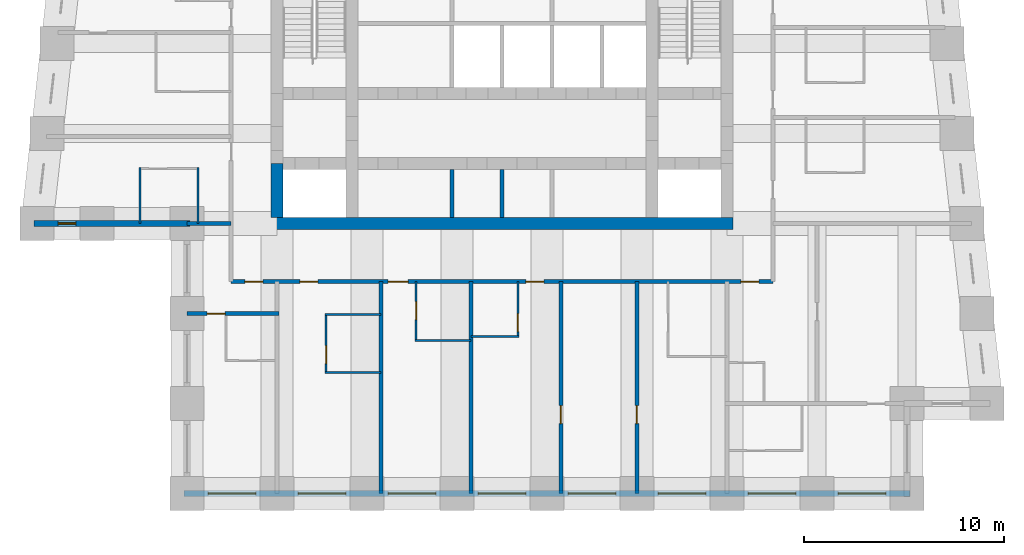
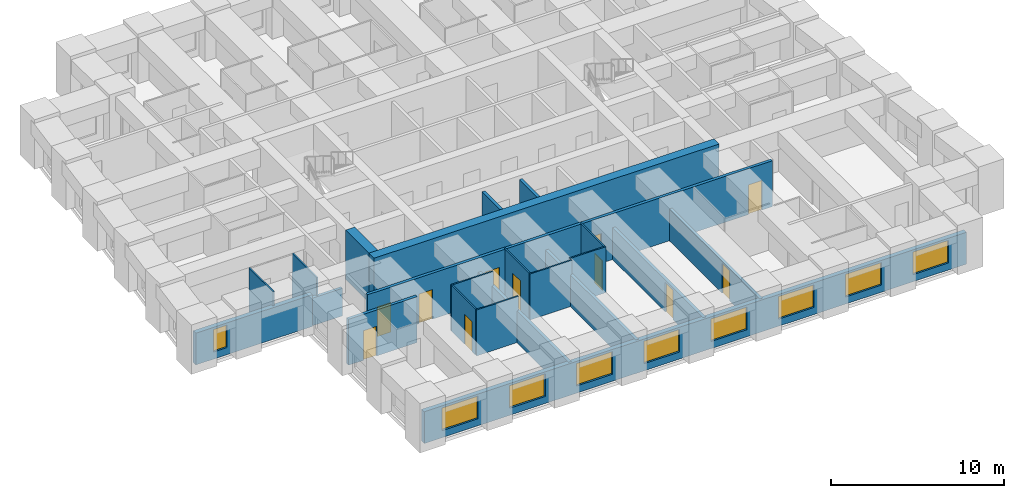
# One storey, part 2 of 8: 22 walls, 11 doors, 9 windows, 20 openings.
"""IFC4 building model written with IfcOpenShell, lengths in metres."""

import ifcopenshell
import ifcopenshell.guid

model = None  # the IFC model being written
_history = None  # IfcOwnerHistory: only IFC2X3 demands one
_inside = {}  # id of a spatial element -> (the spatial element, [elements in it])
_under = {}  # id of a project, library or spatial element -> (it, [spatial elements below it])
_declared = {}  # id of a project -> (the project, [libraries it declares])
_typed = {}  # id of a type object -> (the type object, [elements of that type])
_made_of = {}  # id of a material, layer set ... -> (it, [elements and type objects made of it])


def new_model(schema):
    """Start an empty IFC model of exactly this schema.

    Asked for "IFC4X3", IfcOpenShell would pick the latest addendum, in which some entities
    have other attributes; the version numbers below select the first issue.
    IFC2X3 requires an IfcOwnerHistory on every rooted entity: one is made here for all.
    """
    global model, _history
    if schema == "IFC4X3":
        model = ifcopenshell.file(schema_version=(4, 3, 0, 0))
    else:
        model = ifcopenshell.file(schema=schema)
    _inside.clear()
    _under.clear()
    _declared.clear()
    _typed.clear()
    _made_of.clear()
    _history = None
    if model.schema == "IFC2X3":
        org = make("IfcOrganization", Name="unknown")
        user = make(
            "IfcPersonAndOrganization",
            ThePerson=make("IfcPerson", FamilyName="unknown"),
            TheOrganization=org,
        )
        app = make(
            "IfcApplication",
            ApplicationDeveloper=org,
            Version="unknown",
            ApplicationFullName="unknown",
            ApplicationIdentifier="unknown",
        )
        _history = make(
            "IfcOwnerHistory",
            OwningUser=user,
            OwningApplication=app,
            ChangeAction="ADDED",
            CreationDate=0,
        )
    return model


def make(cls, **values):
    """One entity of the class cls with the attributes given. An attribute that is None is left unset."""
    return model.create_entity(
        cls, **{name: value for name, value in values.items() if value is not None}
    )


def rooted(cls, **values):
    """An entity with a GlobalId (a new one), such as an element, a storey or a relation."""
    return make(cls, GlobalId=ifcopenshell.guid.new(), OwnerHistory=_history, **values)


def si_unit(unit_type, name, prefix=None):
    """IfcSIUnit, for example si_unit("LENGTHUNIT", "METRE", prefix="MILLI")."""
    return make("IfcSIUnit", UnitType=unit_type, Prefix=prefix, Name=name)


def assignment(units):
    """IfcUnitAssignment: the units of a project."""
    return None if units is None else make("IfcUnitAssignment", Units=units)


def point(xyz):
    """IfcCartesianPoint."""
    return None if xyz is None else make("IfcCartesianPoint", Coordinates=xyz)


def direction(xyz):
    """IfcDirection."""
    return None if xyz is None else make("IfcDirection", DirectionRatios=xyz)


def frame(location, z_axis=None, x_axis=None):
    """IfcAxis2Placement3D, a coordinate frame: its origin and axes. An axis left out is left unset."""
    return make(
        "IfcAxis2Placement3D",
        Location=point(location),
        Axis=direction(z_axis),
        RefDirection=direction(x_axis),
    )


def frame_2d(location, x_axis=None):
    """IfcAxis2Placement2D, a coordinate frame in the plane: its origin and x axis."""
    return make(
        "IfcAxis2Placement2D", Location=point(location), RefDirection=direction(x_axis)
    )


def origin():
    """The frame at (0, 0, 0) with its axes left unset."""
    return frame((0.0, 0.0, 0.0))


def place(relative_to, where):
    """IfcLocalPlacement: puts the frame where relative to a parent placement (None: the world)."""
    return make(
        "IfcLocalPlacement", PlacementRelTo=relative_to, RelativePlacement=where
    )


def context(
    kind, dimensions, precision=None, world=None, true_north=None, identifier=None
):
    """IfcGeometricRepresentationContext, for example the 3D "Model" context."""
    return make(
        "IfcGeometricRepresentationContext",
        ContextIdentifier=identifier,
        ContextType=kind,
        CoordinateSpaceDimension=dimensions,
        Precision=precision,
        WorldCoordinateSystem=world,
        TrueNorth=true_north,
    )


def subcontext(parent, identifier, kind, view, scale=None):
    """IfcGeometricRepresentationSubContext, for example "Body" below "Model"."""
    return make(
        "IfcGeometricRepresentationSubContext",
        ContextIdentifier=identifier,
        ContextType=kind,
        ParentContext=parent,
        TargetScale=scale,
        TargetView=view,
    )


def project(units=None, contexts=None):
    """IfcProject with its units and contexts."""
    return rooted(
        "IfcProject",
        Name="project",
        RepresentationContexts=contexts,
        UnitsInContext=assignment(units),
    )


def spatial(cls, under=None, at=None, **own):
    """A site, building, storey or space (cls), placed at a placement, below another one or the project."""
    s = rooted(cls, ObjectPlacement=at, **own)
    if under is not None:
        _under.setdefault(under.id(), (under, []))[1].append(s)
    return s


def profile(cls, at=None, kind="AREA", **sizes):
    """A parametric profile (cls). Its sizes go by their IFC names, for example OverallWidth=200.0."""
    return make(cls, ProfileType=kind, Position=at, **sizes)


def rectangle(**sizes):
    """IfcRectangleProfileDef."""
    return profile("IfcRectangleProfileDef", **sizes)


def extrude(swept, where, along, depth):
    """IfcExtrudedAreaSolid: the profile swept, set in the frame where, extruded along a direction by depth."""
    return make(
        "IfcExtrudedAreaSolid",
        SweptArea=swept,
        Position=where,
        ExtrudedDirection=direction(along),
        Depth=depth,
    )


def shape(context_of_items, identifier, shape_type, items):
    """IfcShapeRepresentation: the items that make up one representation, for example the "Body"."""
    return make(
        "IfcShapeRepresentation",
        ContextOfItems=context_of_items,
        RepresentationIdentifier=identifier,
        RepresentationType=shape_type,
        Items=items,
    )


def material(Name=None, Category=None):
    """IfcMaterial."""
    return make("IfcMaterial", Name=Name, Category=Category)


def layer(
    of_material, thickness, ventilated=None, Name=None, Category=None, Priority=None
):
    """IfcMaterialLayer: one layer of a wall or slab, of a material (None: an air gap)."""
    return make(
        "IfcMaterialLayer",
        Material=of_material,
        LayerThickness=thickness,
        IsVentilated=ventilated,
        Name=Name,
        Category=Category,
        Priority=Priority,
    )


def layer_set(layers, Name=None):
    """IfcMaterialLayerSet."""
    return make("IfcMaterialLayerSet", MaterialLayers=layers, LayerSetName=Name)


def made_of(thing, what):
    """Note that an element or type object is made of a material, layer set ...; save() writes the relation."""
    if what is not None:
        _made_of.setdefault(what.id(), (what, []))[1].append(thing)
    return thing


def type_object(cls, material=None, **own):
    """A type object (cls), such as IfcWallType, which elements share."""
    return made_of(rooted(cls, **own), material)


def element(
    cls,
    number,
    at=None,
    inside=None,
    cuts=None,
    type_object=None,
    material=None,
    context=None,
    identifier="Body",
    shape_type=None,
    held_by="IfcProductDefinitionShape",
    body=None,
    shapes=None,
    **own,
):
    """One element of the class cls, such as IfcWall. Its Tag is "e" and its number.

    at: its placement. inside: the storey or other place that contains it. cuts: it is an
    opening in that element (IfcRelVoidsElement). A single representation is given by context,
    identifier, shape_type and body (its items); several are given by shapes. held_by: the class
    of the entity that holds the representations. save() writes the other relations.
    """
    e = rooted(cls, Tag="e%d" % number, ObjectPlacement=at, **own)
    if body is not None:
        shapes = [shape(context, identifier, shape_type, body)]
    if shapes is not None:
        e.Representation = make(held_by, Representations=shapes)
    if inside is not None:
        _inside.setdefault(inside.id(), (inside, []))[1].append(e)
    if cuts is not None:
        rooted(
            "IfcRelVoidsElement", RelatingBuildingElement=cuts, RelatedOpeningElement=e
        )
    if type_object is not None:
        _typed.setdefault(type_object.id(), (type_object, []))[1].append(e)
    return made_of(e, material)


def fill(opening, filler):
    """IfcRelFillsElement: the door or window that sits in an opening."""
    return rooted(
        "IfcRelFillsElement",
        RelatingOpeningElement=opening,
        RelatedBuildingElement=filler,
    )


def aggregate(whole, parts):
    """IfcRelAggregates: a whole, such as a stair, and the parts it consists of."""
    return rooted("IfcRelAggregates", RelatingObject=whole, RelatedObjects=parts)


def save(model, path):
    """Write the relations noted so far, then the file.

    IfcRelAggregates (storeys below a building ...), IfcRelContainedInSpatialStructure (elements
    in a storey), IfcRelDefinesByType, IfcRelAssociatesMaterial and IfcRelDeclares: one each for
    every whole, place, type object, material and project.
    """
    for whole, parts in _under.values():
        aggregate(whole, parts)
    for where, things in _inside.values():
        rooted(
            "IfcRelContainedInSpatialStructure",
            RelatedElements=things,
            RelatingStructure=where,
        )
    for kind, things in _typed.values():
        rooted("IfcRelDefinesByType", RelatedObjects=things, RelatingType=kind)
    for what, things in _made_of.values():
        rooted("IfcRelAssociatesMaterial", RelatedObjects=things, RelatingMaterial=what)
    for by, libraries in _declared.values():
        rooted("IfcRelDeclares", RelatingContext=by, RelatedDefinitions=libraries)
    model.write(path)


model = new_model("IFC4")

# Units and contexts
model_context = context("Model", 3, precision=1e-05, world=origin(), true_north=direction((0.0, 1.0)))
body_context = subcontext(model_context, "Body", "Model", "MODEL_VIEW")
ifc_project = project(units=[si_unit("LENGTHUNIT", "METRE"), si_unit("AREAUNIT", "SQUARE_METRE"), si_unit("VOLUMEUNIT", "CUBIC_METRE"), si_unit("PLANEANGLEUNIT", "RADIAN"), si_unit("MASSUNIT", "GRAM", prefix="KILO")], contexts=[model_context])

# Site, building, storey
site_placement = place(None, origin())
site = spatial("IfcSite", under=ifc_project, at=site_placement, CompositionType="ELEMENT")
building_placement = place(site_placement, origin())
building = spatial("IfcBuilding", under=site, at=building_placement, Name="Kilele Tower Hotel", CompositionType="ELEMENT")
storey_placement = place(building_placement, frame((0.0, 0.0, 183.39990234375)))
storey = spatial("IfcBuildingStorey", under=building, at=storey_placement, Name="L47", CompositionType="ELEMENT", Elevation=183.39990234375)

# Walls
ifc_material_1 = material(Name="Moisture-resistant board")
ifc_layer_1 = layer(ifc_material_1, 0.10009765625)
ifc_layer_set_1 = layer_set([ifc_layer_1], Name="Moisture-resistant board")
wall_type_1 = type_object("IfcWallType", Name="Bathroom partition 100", PredefinedType="PLUMBINGWALL", material=ifc_layer_set_1)
for number, where, z_axis, x_axis, name in (
    (1, (15.89990234375, 8.949951171875, 0.0), (0.0, 0.0, 1.0), (1.0, 0.0, 0.0), "Bathroom partition 100 L47"),
    (2, (15.89990234375, 6.050048828125, 0.0), (0.0, 0.0, 1.0), (1.0, 0.0, 0.0), "Bathroom partition 100 L47"),
):
    element("IfcWall", number, at=place(storey_placement, frame(where, z_axis=z_axis, x_axis=x_axis)), inside=storey, type_object=wall_type_1, Name=name, PredefinedType="PLUMBINGWALL", context=body_context, shape_type="SweptSolid", body=[
        extrude(rectangle(XDim=2.800048828125, YDim=0.10009765625, at=frame_2d((1.39990234375, 0.0))), origin(), (0.0, 0.0, 1.0), 3.25),
    ])

# Wall, opening, door
wall_1_placement = place(storey_placement, frame((15.949951171875, 9.0, 0.0), z_axis=(0.0, 0.0, 1.0), x_axis=(0.0, -1.0, 0.0)))
wall_1 = element("IfcWall", 3, at=wall_1_placement, inside=storey, type_object=wall_type_1, Name="Bathroom partition 100 L47", PredefinedType="PLUMBINGWALL", context=body_context, shape_type="SweptSolid", body=[
    extrude(rectangle(XDim=3.0, YDim=0.10009765625, at=frame_2d((1.5, 0.0))), origin(), (0.0, 0.0, 1.0), 3.25),
])
opening_1_placement = place(wall_1_placement, frame((2.5, 0.0, 0.0), z_axis=(0.0, 0.0, 1.0), x_axis=(-1.0, 0.0, 0.0)))
opening_1 = element("IfcOpeningElement", 4, at=opening_1_placement, cuts=wall_1, Name="Opening D2A", PredefinedType="OPENING", context=body_context, shape_type="SweptSolid", body=[
    extrude(rectangle(XDim=0.89990234375, YDim=2.10009765625, at=frame_2d((0.449951171875, 1.050048828125))), frame((0.0, 0.06005859375, 0.0), z_axis=(0.0, -1.0, 0.0), x_axis=(1.0, 0.0, 0.0)), (0.0, 0.0, 1.0), 0.1201171875),
])
ifc_material_2 = material(Name="Timber door leaf in hardwood frame", Category="wood")
door_type_1 = type_object("IfcDoorType", Name="Bathroom door 900", OperationType="SINGLE_SWING_LEFT", PredefinedType="DOOR", material=ifc_material_2)
door_1_placement = place(opening_1_placement, origin())
door_1 = element("IfcDoor", 5, at=door_1_placement, inside=storey, type_object=door_type_1, Name="Bathroom door 4701B", OperationType="SINGLE_SWING_LEFT", OverallHeight=2.10009765625, OverallWidth=0.89990234375, PredefinedType="DOOR", context=body_context, shape_type="SweptSolid", body=[
    extrude(rectangle(XDim=0.89990234375, YDim=2.10009765625, at=frame_2d((0.449951171875, 1.050048828125))), frame((0.0, 0.02490234375, 0.0), z_axis=(0.0, -1.0, 0.0), x_axis=(1.0, 0.0, 0.0)), (0.0, 0.0, 1.0), 0.050048828125),
])
fill(opening_1, door_1)

# Wall
wall_2_placement = place(storey_placement, frame((20.39990234375, 7.64990234375, 0.0), z_axis=(0.0, 0.0, 1.0), x_axis=(1.0, 0.0, 0.0)))
element("IfcWall", 6, at=wall_2_placement, inside=storey, type_object=wall_type_1, Name="Bathroom partition 100 L47", PredefinedType="PLUMBINGWALL", context=body_context, shape_type="SweptSolid", body=[
    extrude(rectangle(XDim=2.800048828125, YDim=0.10009765625, at=frame_2d((1.39990234375, 0.0))), origin(), (0.0, 0.0, 1.0), 3.25),
])

# Wall, opening, door
wall_3_placement = place(storey_placement, frame((20.449951171875, 10.60009765625, 0.0), z_axis=(0.0, 0.0, 1.0), x_axis=(0.0, -1.0, 0.0)))
wall_3 = element("IfcWall", 7, at=wall_3_placement, inside=storey, type_object=wall_type_1, Name="Bathroom partition 100 L47", PredefinedType="PLUMBINGWALL", context=body_context, shape_type="SweptSolid", body=[
    extrude(rectangle(XDim=3.0, YDim=0.10009765625, at=frame_2d((1.5, 0.0))), origin(), (0.0, 0.0, 1.0), 3.25),
])
opening_2_placement = place(wall_3_placement, frame((1.89990234375, 0.0, 0.0), z_axis=(0.0, 0.0, 1.0), x_axis=(-1.0, 0.0, 0.0)))
opening_2 = element("IfcOpeningElement", 8, at=opening_2_placement, cuts=wall_3, Name="Opening D2A", PredefinedType="OPENING", context=body_context, shape_type="SweptSolid", body=[
    extrude(rectangle(XDim=0.89990234375, YDim=2.10009765625, at=frame_2d((0.449951171875, 1.050048828125))), frame((0.0, 0.06005859375, 0.0), z_axis=(0.0, -1.0, 0.0), x_axis=(1.0, 0.0, 0.0)), (0.0, 0.0, 1.0), 0.1201171875),
])
door_2_placement = place(opening_2_placement, origin())
door_2 = element("IfcDoor", 9, at=door_2_placement, inside=storey, type_object=door_type_1, Name="Bathroom door 4702B", OperationType="SINGLE_SWING_RIGHT", OverallHeight=2.10009765625, OverallWidth=0.89990234375, PredefinedType="DOOR", context=body_context, shape_type="SweptSolid", body=[
    extrude(rectangle(XDim=0.89990234375, YDim=2.10009765625, at=frame_2d((0.449951171875, 1.050048828125))), frame((0.0, 0.02490234375, 0.0), z_axis=(0.0, -1.0, 0.0), x_axis=(1.0, 0.0, 0.0)), (0.0, 0.0, 1.0), 0.050048828125),
])
fill(opening_2, door_2)

# Wall
wall_4_placement = place(storey_placement, frame((23.199951171875, 7.85009765625, 0.0), z_axis=(0.0, 0.0, 1.0), x_axis=(1.0, 0.0, 0.0)))
element("IfcWall", 10, at=wall_4_placement, inside=storey, type_object=wall_type_1, Name="Bathroom partition 100 L47", PredefinedType="PLUMBINGWALL", context=body_context, shape_type="SweptSolid", body=[
    extrude(rectangle(XDim=2.400146484375, YDim=0.10009765625, at=frame_2d((1.2001953125, 0.0))), origin(), (0.0, 0.0, 1.0), 3.25),
])

# Wall, opening, door
wall_5_placement = place(storey_placement, frame((25.550048828125, 10.60009765625, 0.0), z_axis=(0.0, 0.0, 1.0), x_axis=(0.0, -1.0, 0.0)))
wall_5 = element("IfcWall", 11, at=wall_5_placement, inside=storey, type_object=wall_type_1, Name="Bathroom partition 100 L47", PredefinedType="PLUMBINGWALL", context=body_context, shape_type="SweptSolid", body=[
    extrude(rectangle(XDim=2.800048828125, YDim=0.10009765625, at=frame_2d((1.39990234375, 0.0))), origin(), (0.0, 0.0, 1.0), 3.25),
])
opening_3_placement = place(wall_5_placement, frame((1.60009765625, 0.0, 0.0)))
opening_3 = element("IfcOpeningElement", 12, at=opening_3_placement, cuts=wall_5, Name="Opening D2A", PredefinedType="OPENING", context=body_context, shape_type="SweptSolid", body=[
    extrude(rectangle(XDim=0.89990234375, YDim=2.10009765625, at=frame_2d((0.449951171875, 1.050048828125))), frame((0.0, 0.06005859375, 0.0), z_axis=(0.0, -1.0, 0.0), x_axis=(1.0, 0.0, 0.0)), (0.0, 0.0, 1.0), 0.1201171875),
])
door_3_placement = place(opening_3_placement, origin())
door_3 = element("IfcDoor", 13, at=door_3_placement, inside=storey, type_object=door_type_1, Name="Bathroom door 4703B", OperationType="SINGLE_SWING_RIGHT", OverallHeight=2.10009765625, OverallWidth=0.89990234375, PredefinedType="DOOR", context=body_context, shape_type="SweptSolid", body=[
    extrude(rectangle(XDim=0.89990234375, YDim=2.10009765625, at=frame_2d((0.449951171875, 1.050048828125))), frame((0.0, 0.02490234375, 0.0), z_axis=(0.0, -1.0, 0.0), x_axis=(1.0, 0.0, 0.0)), (0.0, 0.0, 1.0), 0.050048828125),
])
fill(opening_3, door_3)

# Walls
for number, where, z_axis, x_axis, name in (
    (14, (9.550048828125, 13.5, 0.0), (0.0, 0.0, 1.0), (0.0, 1.0, 0.0), "Bathroom partition 100 L47"),
    (15, (6.64990234375, 13.5, 0.0), (0.0, 0.0, 1.0), (0.0, 1.0, 0.0), "Bathroom partition 100 L47"),
):
    element("IfcWall", number, at=place(storey_placement, frame(where, z_axis=z_axis, x_axis=x_axis)), inside=storey, type_object=wall_type_1, Name=name, PredefinedType="PLUMBINGWALL", context=body_context, shape_type="SweptSolid", body=[
        extrude(rectangle(XDim=2.800048828125, YDim=0.10009765625, at=frame_2d((1.39990234375, 0.0))), origin(), (0.0, 0.0, 1.0), 3.25),
    ])
ifc_material_3 = material(Name="Concrete C70/85", Category="concrete")
ifc_layer_2 = layer(ifc_material_3, 0.60009765625)
ifc_layer_set_2 = layer_set([ifc_layer_2], Name="Concrete C70/85")
wall_type_2 = type_object("IfcWallType", Name="Core wall 600 C70/85", PredefinedType="SHEAR", material=ifc_layer_set_2)
wall_6_placement = place(storey_placement, frame((13.199951171875, 13.5, 0.0), z_axis=(0.0, 0.0, 1.0), x_axis=(1.0, 0.0, 0.0)))
element("IfcWall", 16, at=wall_6_placement, inside=storey, type_object=wall_type_2, Name="Core wall S L47", PredefinedType="SHEAR", context=body_context, shape_type="SweptSolid", body=[
    extrude(rectangle(XDim=23.10009765625, YDim=0.60009765625, at=frame_2d((11.550048828125, 0.0))), origin(), (0.0, 0.0, 1.0), 3.5),
])
wall_7_placement = place(storey_placement, frame((13.5, 16.5, 0.0), z_axis=(0.0, 0.0, 1.0), x_axis=(0.0, -1.0, 0.0)))
element("IfcWall", 17, at=wall_7_placement, inside=storey, type_object=wall_type_2, Name="Core wall W3 L47", PredefinedType="SHEAR", context=body_context, shape_type="SweptSolid", body=[
    extrude(rectangle(XDim=2.699951171875, YDim=0.60009765625, at=frame_2d((1.35009765625, 0.0))), origin(), (0.0, 0.0, 1.0), 3.5),
])

# Wall, openings, doors
ifc_material_4 = material(Name="Blockwork, plastered both sides", Category="masonry")
ifc_layer_3 = layer(ifc_material_4, 0.199951171875)
ifc_layer_set_3 = layer_set([ifc_layer_3], Name="Blockwork, plastered both sides")
wall_type_3 = type_object("IfcWallType", Name="Corridor wall 200", PredefinedType="PARTITIONING", material=ifc_layer_set_3)
wall_8_placement = place(storey_placement, frame((11.199951171875, 10.60009765625, 0.0), z_axis=(0.0, 0.0, 1.0), x_axis=(1.0, 0.0, 0.0)))
wall_8 = element("IfcWall", 18, at=wall_8_placement, inside=storey, type_object=wall_type_3, Name="Corridor wall 200 L47", PredefinedType="PARTITIONING", context=body_context, shape_type="SweptSolid", body=[
    extrude(rectangle(XDim=27.10009765625, YDim=0.199951171875, at=frame_2d((13.550048828125, 0.0))), origin(), (0.0, 0.0, 1.0), 3.25),
])
opening_4_placement = place(wall_8_placement, frame((4.349853515625, 0.0, 0.0), z_axis=(0.0, 0.0, 1.0), x_axis=(-1.0, 0.0, 0.0)))
opening_4 = element("IfcOpeningElement", 19, at=opening_4_placement, cuts=wall_8, Name="Opening D1", PredefinedType="OPENING", context=body_context, shape_type="SweptSolid", body=[
    extrude(rectangle(XDim=0.89990234375, YDim=2.10009765625, at=frame_2d((0.449951171875, 1.050048828125))), frame((0.0, 0.10986328125, 0.0), z_axis=(0.0, -1.0, 0.0), x_axis=(1.0, 0.0, 0.0)), (0.0, 0.0, 1.0), 0.219970703125),
])
opening_5_placement = place(wall_8_placement, frame((8.85009765625, 0.0, 0.0), z_axis=(0.0, 0.0, 1.0), x_axis=(-1.0, 0.0, 0.0)))
opening_5 = element("IfcOpeningElement", 20, at=opening_5_placement, cuts=wall_8, Name="Opening D1A", PredefinedType="OPENING", context=body_context, shape_type="SweptSolid", body=[
    extrude(rectangle(XDim=1.0, YDim=2.10009765625, at=frame_2d((0.5, 1.050048828125))), frame((0.0, 0.10986328125, 0.0), z_axis=(0.0, -1.0, 0.0), x_axis=(1.0, 0.0, 0.0)), (0.0, 0.0, 1.0), 0.219970703125),
])
opening_6_placement = place(wall_8_placement, frame((15.64990234375, 0.0, 0.0), z_axis=(0.0, 0.0, 1.0), x_axis=(-1.0, 0.0, 0.0)))
opening_6 = element("IfcOpeningElement", 21, at=opening_6_placement, cuts=wall_8, Name="Opening D1", PredefinedType="OPENING", context=body_context, shape_type="SweptSolid", body=[
    extrude(rectangle(XDim=0.89990234375, YDim=2.10009765625, at=frame_2d((0.449951171875, 1.050048828125))), frame((0.0, 0.10986328125, 0.0), z_axis=(0.0, -1.0, 0.0), x_axis=(1.0, 0.0, 0.0)), (0.0, 0.0, 1.0), 0.219970703125),
])
opening_7_placement = place(wall_8_placement, frame((1.599853515625, 0.0, 0.0), z_axis=(0.0, 0.0, 1.0), x_axis=(-1.0, 0.0, 0.0)))
opening_7 = element("IfcOpeningElement", 22, at=opening_7_placement, cuts=wall_8, Name="Opening D1", PredefinedType="OPENING", context=body_context, shape_type="SweptSolid", body=[
    extrude(rectangle(XDim=0.89990234375, YDim=2.10009765625, at=frame_2d((0.449951171875, 1.050048828125))), frame((0.0, 0.10986328125, 0.0), z_axis=(0.0, -1.0, 0.0), x_axis=(1.0, 0.0, 0.0)), (0.0, 0.0, 1.0), 0.219970703125),
])
opening_8_placement = place(wall_8_placement, frame((26.39990234375, 0.0, 0.0), z_axis=(0.0, 0.0, 1.0), x_axis=(-1.0, 0.0, 0.0)))
opening_8 = element("IfcOpeningElement", 23, at=opening_8_placement, cuts=wall_8, Name="Opening D1", PredefinedType="OPENING", context=body_context, shape_type="SweptSolid", body=[
    extrude(rectangle(XDim=0.89990234375, YDim=2.10009765625, at=frame_2d((0.449951171875, 1.050048828125))), frame((0.0, 0.10986328125, 0.0), z_axis=(0.0, -1.0, 0.0), x_axis=(1.0, 0.0, 0.0)), (0.0, 0.0, 1.0), 0.219970703125),
])
ifc_material_5 = material(Name="Timber door leaf in hardwood frame", Category="wood")
door_type_2 = type_object("IfcDoorType", Name="Guest room entrance door 1000", OperationType="SINGLE_SWING_LEFT", PredefinedType="DOOR", material=ifc_material_5)
door_4_placement = place(opening_5_placement, origin())
door_4 = element("IfcDoor", 24, at=door_4_placement, inside=storey, type_object=door_type_2, Name="Room entrance 4702", OperationType="SINGLE_SWING_RIGHT", OverallHeight=2.10009765625, OverallWidth=1.0, PredefinedType="DOOR", context=body_context, shape_type="SweptSolid", body=[
    extrude(rectangle(XDim=1.0, YDim=2.10009765625, at=frame_2d((0.5, 1.050048828125))), frame((0.0, 0.02490234375, 0.0), z_axis=(0.0, -1.0, 0.0), x_axis=(1.0, 0.0, 0.0)), (0.0, 0.0, 1.0), 0.050048828125),
])
fill(opening_5, door_4)
ifc_material_6 = material(Name="Timber door leaf in hardwood frame", Category="wood")
door_type_3 = type_object("IfcDoorType", Name="Guest room entrance door 900", OperationType="SINGLE_SWING_LEFT", PredefinedType="DOOR", material=ifc_material_6)
door_5_placement = place(opening_4_placement, origin())
door_5 = element("IfcDoor", 25, at=door_5_placement, inside=storey, type_object=door_type_3, Name="Room entrance 4701", OperationType="SINGLE_SWING_RIGHT", OverallHeight=2.10009765625, OverallWidth=0.89990234375, PredefinedType="DOOR", context=body_context, shape_type="SweptSolid", body=[
    extrude(rectangle(XDim=0.89990234375, YDim=2.10009765625, at=frame_2d((0.449951171875, 1.050048828125))), frame((0.0, 0.02490234375, 0.0), z_axis=(0.0, -1.0, 0.0), x_axis=(1.0, 0.0, 0.0)), (0.0, 0.0, 1.0), 0.050048828125),
])
fill(opening_4, door_5)
door_6_placement = place(opening_6_placement, origin())
door_6 = element("IfcDoor", 26, at=door_6_placement, inside=storey, type_object=door_type_3, Name="Room entrance 4703", OperationType="SINGLE_SWING_RIGHT", OverallHeight=2.10009765625, OverallWidth=0.89990234375, PredefinedType="DOOR", context=body_context, shape_type="SweptSolid", body=[
    extrude(rectangle(XDim=0.89990234375, YDim=2.10009765625, at=frame_2d((0.449951171875, 1.050048828125))), frame((0.0, 0.02490234375, 0.0), z_axis=(0.0, -1.0, 0.0), x_axis=(1.0, 0.0, 0.0)), (0.0, 0.0, 1.0), 0.050048828125),
])
fill(opening_6, door_6)
door_7_placement = place(opening_7_placement, origin())
door_7 = element("IfcDoor", 27, at=door_7_placement, inside=storey, type_object=door_type_3, Name="Room entrance 4717", OperationType="SINGLE_SWING_LEFT", OverallHeight=2.10009765625, OverallWidth=0.89990234375, PredefinedType="DOOR", context=body_context, shape_type="SweptSolid", body=[
    extrude(rectangle(XDim=0.89990234375, YDim=2.10009765625, at=frame_2d((0.449951171875, 1.050048828125))), frame((0.0, 0.02490234375, 0.0), z_axis=(0.0, -1.0, 0.0), x_axis=(1.0, 0.0, 0.0)), (0.0, 0.0, 1.0), 0.050048828125),
])
fill(opening_7, door_7)
door_8_placement = place(opening_8_placement, origin())
door_8 = element("IfcDoor", 28, at=door_8_placement, inside=storey, type_object=door_type_3, Name="Room entrance 4719", OperationType="SINGLE_SWING_RIGHT", OverallHeight=2.10009765625, OverallWidth=0.89990234375, PredefinedType="DOOR", context=body_context, shape_type="SweptSolid", body=[
    extrude(rectangle(XDim=0.89990234375, YDim=2.10009765625, at=frame_2d((0.449951171875, 1.050048828125))), frame((0.0, 0.02490234375, 0.0), z_axis=(0.0, -1.0, 0.0), x_axis=(1.0, 0.0, 0.0)), (0.0, 0.0, 1.0), 0.050048828125),
])
fill(opening_8, door_8)

# Walls
ifc_material_7 = material(Name="Blockwork, plastered both sides", Category="masonry")
ifc_layer_4 = layer(ifc_material_7, 0.199951171875)
ifc_layer_set_4 = layer_set([ifc_layer_4], Name="Blockwork, plastered both sides")
wall_type_4 = type_object("IfcWallType", Name="Party wall 200", PredefinedType="PARTITIONING", material=ifc_layer_set_4)
for number, where, z_axis, x_axis, name in (
    (29, (18.699951171875, 10.60009765625, 0.0), (0.0, 0.0, 1.0), (0.0, -1.0, 0.0), "Party wall 200 L47"),
    (30, (23.199951171875, 10.60009765625, 0.0), (0.0, 0.0, 1.0), (0.0, -1.0, 0.0), "Party wall 200 L47"),
):
    element("IfcWall", number, at=place(storey_placement, frame(where, z_axis=z_axis, x_axis=x_axis)), inside=storey, type_object=wall_type_4, Name=name, PredefinedType="PARTITIONING", context=body_context, shape_type="SweptSolid", body=[
        extrude(rectangle(XDim=10.60009765625, YDim=0.199951171875, at=frame_2d((5.300048828125, 0.0))), origin(), (0.0, 0.0, 1.0), 2.25),
    ])

# Wall, opening, door
wall_9_placement = place(storey_placement, frame((27.699951171875, 10.60009765625, 0.0), z_axis=(0.0, 0.0, 1.0), x_axis=(0.0, -1.0, 0.0)))
wall_9 = element("IfcWall", 31, at=wall_9_placement, inside=storey, type_object=wall_type_4, Name="Party wall 200 L47", PredefinedType="PARTITIONING", context=body_context, shape_type="SweptSolid", body=[
    extrude(rectangle(XDim=10.60009765625, YDim=0.199951171875, at=frame_2d((5.300048828125, 0.0))), origin(), (0.0, 0.0, 1.0), 2.25),
])
opening_9_placement = place(wall_9_placement, frame((6.199951171875, 0.0, 0.0)))
opening_9 = element("IfcOpeningElement", 32, at=opening_9_placement, cuts=wall_9, Name="Opening D3", PredefinedType="OPENING", context=body_context, shape_type="SweptSolid", body=[
    extrude(rectangle(XDim=0.89990234375, YDim=2.10009765625, at=frame_2d((0.449951171875, 1.050048828125))), frame((0.0, 0.10986328125, 0.0), z_axis=(0.0, -1.0, 0.0), x_axis=(1.0, 0.0, 0.0)), (0.0, 0.0, 1.0), 0.219970703125),
])
ifc_material_8 = material(Name="Timber door leaf in hardwood frame", Category="wood")
door_type_4 = type_object("IfcDoorType", Name="Suite internal door 900", OperationType="SINGLE_SWING_LEFT", PredefinedType="DOOR", material=ifc_material_8)
door_9_placement = place(opening_9_placement, origin())
door_9 = element("IfcDoor", 33, at=door_9_placement, inside=storey, type_object=door_type_4, Name="Suite door 4704", OperationType="SINGLE_SWING_RIGHT", OverallHeight=2.10009765625, OverallWidth=0.89990234375, PredefinedType="DOOR", context=body_context, shape_type="SweptSolid", body=[
    extrude(rectangle(XDim=0.89990234375, YDim=2.10009765625, at=frame_2d((0.449951171875, 1.050048828125))), frame((0.0, 0.02490234375, 0.0), z_axis=(0.0, -1.0, 0.0), x_axis=(1.0, 0.0, 0.0)), (0.0, 0.0, 1.0), 0.050048828125),
])
fill(opening_9, door_9)

wall_10_placement = place(storey_placement, frame((31.5, 10.60009765625, 0.0), z_axis=(0.0, 0.0, 1.0), x_axis=(0.0, -1.0, 0.0)))
wall_10 = element("IfcWall", 34, at=wall_10_placement, inside=storey, type_object=wall_type_4, Name="Party wall 200 L47", PredefinedType="PARTITIONING", context=body_context, shape_type="SweptSolid", body=[
    extrude(rectangle(XDim=10.60009765625, YDim=0.199951171875, at=frame_2d((5.300048828125, 0.0))), origin(), (0.0, 0.0, 1.0), 2.25),
])
opening_10_placement = place(wall_10_placement, frame((6.199951171875, 0.0, 0.0)))
opening_10 = element("IfcOpeningElement", 35, at=opening_10_placement, cuts=wall_10, Name="Opening D3", PredefinedType="OPENING", context=body_context, shape_type="SweptSolid", body=[
    extrude(rectangle(XDim=0.89990234375, YDim=2.10009765625, at=frame_2d((0.449951171875, 1.050048828125))), frame((0.0, 0.10986328125, 0.0), z_axis=(0.0, -1.0, 0.0), x_axis=(1.0, 0.0, 0.0)), (0.0, 0.0, 1.0), 0.219970703125),
])
door_10_placement = place(opening_10_placement, origin())
door_10 = element("IfcDoor", 36, at=door_10_placement, inside=storey, type_object=door_type_4, Name="Suite door 4705", OperationType="SINGLE_SWING_RIGHT", OverallHeight=2.10009765625, OverallWidth=0.89990234375, PredefinedType="DOOR", context=body_context, shape_type="SweptSolid", body=[
    extrude(rectangle(XDim=0.89990234375, YDim=2.10009765625, at=frame_2d((0.449951171875, 1.050048828125))), frame((0.0, 0.02490234375, 0.0), z_axis=(0.0, -1.0, 0.0), x_axis=(1.0, 0.0, 0.0)), (0.0, 0.0, 1.0), 0.050048828125),
])
fill(opening_10, door_10)

# Wall
wall_11_placement = place(storey_placement, frame((11.199951171875, 13.5, 0.0), z_axis=(0.0, 0.0, 1.0), x_axis=(-1.0, 0.0, 0.0)))
element("IfcWall", 37, at=wall_11_placement, inside=storey, type_object=wall_type_4, Name="Party wall 200 L47", PredefinedType="PARTITIONING", context=body_context, shape_type="SweptSolid", body=[
    extrude(rectangle(XDim=2.199951171875, YDim=0.199951171875, at=frame_2d((1.10009765625, 0.0))), origin(), (0.0, 0.0, 1.0), 1.9501953125),
])

# Wall, opening, door
wall_12_placement = place(storey_placement, frame((13.60009765625, 9.0, 0.0), z_axis=(0.0, 0.0, 1.0), x_axis=(-1.0, 0.0, 0.0)))
wall_12 = element("IfcWall", 38, at=wall_12_placement, inside=storey, type_object=wall_type_4, Name="Party wall 200 L47", PredefinedType="PARTITIONING", context=body_context, shape_type="SweptSolid", body=[
    extrude(rectangle(XDim=4.60009765625, YDim=0.199951171875, at=frame_2d((2.300048828125, 0.0))), origin(), (0.0, 0.0, 1.0), 3.25),
])
opening_11_placement = place(wall_12_placement, frame((2.699951171875, 0.0, 0.0)))
opening_11 = element("IfcOpeningElement", 39, at=opening_11_placement, cuts=wall_12, Name="Opening D3", PredefinedType="OPENING", context=body_context, shape_type="SweptSolid", body=[
    extrude(rectangle(XDim=0.89990234375, YDim=2.10009765625, at=frame_2d((0.449951171875, 1.050048828125))), frame((0.0, 0.10986328125, 0.0), z_axis=(0.0, -1.0, 0.0), x_axis=(1.0, 0.0, 0.0)), (0.0, 0.0, 1.0), 0.219970703125),
])
door_11_placement = place(opening_11_placement, origin())
door_11 = element("IfcDoor", 40, at=door_11_placement, inside=storey, type_object=door_type_4, Name="Suite door 4718", OperationType="SINGLE_SWING_LEFT", OverallHeight=2.10009765625, OverallWidth=0.89990234375, PredefinedType="DOOR", context=body_context, shape_type="SweptSolid", body=[
    extrude(rectangle(XDim=0.89990234375, YDim=2.10009765625, at=frame_2d((0.449951171875, 1.050048828125))), frame((0.0, 0.02490234375, 0.0), z_axis=(0.0, -1.0, 0.0), x_axis=(1.0, 0.0, 0.0)), (0.0, 0.0, 1.0), 0.050048828125),
])
fill(opening_11, door_11)

# Wall, opening, window
ifc_material_9 = material(Name="Concrete C40/50 precast", Category="concrete")
ifc_layer_5 = layer(ifc_material_9, 0.260009765625, Name="Precast backing", Category="LoadBearing")
ifc_material_10 = material(Name="Reconstituted stone finish", Category="masonry")
ifc_layer_6 = layer(ifc_material_10, 0.0400390625, Name="Face mix", Category="Finish")
ifc_layer_set_5 = layer_set([ifc_layer_5, ifc_layer_6], Name="Precast concrete C40/50, reconstituted stone finish")
wall_type_5 = type_object("IfcWallType", Name="Precast stone facade wall 300", PredefinedType="STANDARD", material=ifc_layer_set_5)
wall_13_placement = place(storey_placement, frame((1.35009765625, 13.5, 0.0), z_axis=(0.0, 0.0, 1.0), x_axis=(1.0, 0.0, 0.0)))
wall_13 = element("IfcWall", 41, at=wall_13_placement, inside=storey, type_object=wall_type_5, Name="Facade wall L47 edge 1", PredefinedType="STANDARD", context=body_context, shape_type="SweptSolid", body=[
    extrude(rectangle(XDim=7.7998046875, YDim=0.300048828125, at=frame_2d((3.89990234375, 0.0))), origin(), (0.0, 0.0, 1.0), 2.25),
])
opening_12_placement = place(wall_13_placement, frame((1.199951171875, 0.0, 0.5)))
opening_12 = element("IfcOpeningElement", 42, at=opening_12_placement, cuts=wall_13, Name="Opening W3", PredefinedType="OPENING", context=body_context, shape_type="SweptSolid", body=[
    extrude(rectangle(XDim=0.89990234375, YDim=1.60009765625, at=frame_2d((0.449951171875, 0.800048828125))), frame((0.0, 0.159912109375, 0.0), z_axis=(0.0, -1.0, 0.0), x_axis=(1.0, 0.0, 0.0)), (0.0, 0.0, 1.0), 0.320068359375),
])
ifc_material_11 = material(Name="Aluminium frame, clear double glazing", Category="aluminium")
window_type_1 = type_object("IfcWindowType", Name="Window W3 900 x 1600", PartitioningType="SINGLE_PANEL", PredefinedType="WINDOW", material=ifc_material_11)
window_1_placement = place(opening_12_placement, origin())
window_1 = element("IfcWindow", 43, at=window_1_placement, inside=storey, type_object=window_type_1, Name="Window L47", OverallHeight=1.60009765625, OverallWidth=0.89990234375, PartitioningType="SINGLE_PANEL", PredefinedType="WINDOW", context=body_context, shape_type="SweptSolid", body=[
    extrude(rectangle(XDim=0.89990234375, YDim=1.60009765625, at=frame_2d((0.449951171875, 0.800048828125))), frame((0.0, 0.030029296875, 0.0), z_axis=(0.0, -1.0, 0.0), x_axis=(1.0, 0.0, 0.0)), (0.0, 0.0, 1.0), 0.06005859375),
])
fill(opening_12, window_1)

# Wall, openings, windows
wall_14_placement = place(storey_placement, frame((8.85009765625, 0.0, 0.0), z_axis=(0.0, 0.0, 1.0), x_axis=(1.0, 0.0, 0.0)))
wall_14 = element("IfcWall", 44, at=wall_14_placement, inside=storey, type_object=wall_type_5, Name="Facade wall L47 edge 3", PredefinedType="STANDARD", context=body_context, shape_type="SweptSolid", body=[
    extrude(rectangle(XDim=36.2998046875, YDim=0.300048828125, at=frame_2d((18.14990234375, 0.0))), origin(), (0.0, 0.0, 1.0), 2.25),
])
opening_13_placement = place(wall_14_placement, frame((1.199951171875, 0.0, 0.5)))
opening_13 = element("IfcOpeningElement", 45, at=opening_13_placement, cuts=wall_14, Name="Opening W3", PredefinedType="OPENING", context=body_context, shape_type="SweptSolid", body=[
    extrude(rectangle(XDim=2.39990234375, YDim=1.60009765625, at=frame_2d((1.199951171875, 0.800048828125))), frame((0.0, 0.159912109375, 0.0), z_axis=(0.0, -1.0, 0.0), x_axis=(1.0, 0.0, 0.0)), (0.0, 0.0, 1.0), 0.320068359375),
])
opening_14_placement = place(wall_14_placement, frame((5.699951171875, 0.0, 0.5)))
opening_14 = element("IfcOpeningElement", 46, at=opening_14_placement, cuts=wall_14, Name="Opening W3", PredefinedType="OPENING", context=body_context, shape_type="SweptSolid", body=[
    extrude(rectangle(XDim=2.39990234375, YDim=1.60009765625, at=frame_2d((1.199951171875, 0.800048828125))), frame((0.0, 0.159912109375, 0.0), z_axis=(0.0, -1.0, 0.0), x_axis=(1.0, 0.0, 0.0)), (0.0, 0.0, 1.0), 0.320068359375),
])
opening_15_placement = place(wall_14_placement, frame((10.199951171875, 0.0, 0.5)))
opening_15 = element("IfcOpeningElement", 47, at=opening_15_placement, cuts=wall_14, Name="Opening W3", PredefinedType="OPENING", context=body_context, shape_type="SweptSolid", body=[
    extrude(rectangle(XDim=2.39990234375, YDim=1.60009765625, at=frame_2d((1.199951171875, 0.800048828125))), frame((0.0, 0.159912109375, 0.0), z_axis=(0.0, -1.0, 0.0), x_axis=(1.0, 0.0, 0.0)), (0.0, 0.0, 1.0), 0.320068359375),
])
opening_16_placement = place(wall_14_placement, frame((14.699951171875, 0.0, 0.5)))
opening_16 = element("IfcOpeningElement", 48, at=opening_16_placement, cuts=wall_14, Name="Opening W3", PredefinedType="OPENING", context=body_context, shape_type="SweptSolid", body=[
    extrude(rectangle(XDim=2.39990234375, YDim=1.60009765625, at=frame_2d((1.199951171875, 0.800048828125))), frame((0.0, 0.159912109375, 0.0), z_axis=(0.0, -1.0, 0.0), x_axis=(1.0, 0.0, 0.0)), (0.0, 0.0, 1.0), 0.320068359375),
])
opening_17_placement = place(wall_14_placement, frame((19.199951171875, 0.0, 0.5)))
opening_17 = element("IfcOpeningElement", 49, at=opening_17_placement, cuts=wall_14, Name="Opening W3", PredefinedType="OPENING", context=body_context, shape_type="SweptSolid", body=[
    extrude(rectangle(XDim=2.39990234375, YDim=1.60009765625, at=frame_2d((1.199951171875, 0.800048828125))), frame((0.0, 0.159912109375, 0.0), z_axis=(0.0, -1.0, 0.0), x_axis=(1.0, 0.0, 0.0)), (0.0, 0.0, 1.0), 0.320068359375),
])
opening_18_placement = place(wall_14_placement, frame((23.699951171875, 0.0, 0.5)))
opening_18 = element("IfcOpeningElement", 50, at=opening_18_placement, cuts=wall_14, Name="Opening W3", PredefinedType="OPENING", context=body_context, shape_type="SweptSolid", body=[
    extrude(rectangle(XDim=2.39990234375, YDim=1.60009765625, at=frame_2d((1.199951171875, 0.800048828125))), frame((0.0, 0.159912109375, 0.0), z_axis=(0.0, -1.0, 0.0), x_axis=(1.0, 0.0, 0.0)), (0.0, 0.0, 1.0), 0.320068359375),
])
opening_19_placement = place(wall_14_placement, frame((28.199951171875, 0.0, 0.5)))
opening_19 = element("IfcOpeningElement", 51, at=opening_19_placement, cuts=wall_14, Name="Opening W3", PredefinedType="OPENING", context=body_context, shape_type="SweptSolid", body=[
    extrude(rectangle(XDim=2.39990234375, YDim=1.60009765625, at=frame_2d((1.199951171875, 0.800048828125))), frame((0.0, 0.159912109375, 0.0), z_axis=(0.0, -1.0, 0.0), x_axis=(1.0, 0.0, 0.0)), (0.0, 0.0, 1.0), 0.320068359375),
])
opening_20_placement = place(wall_14_placement, frame((32.699951171875, 0.0, 0.5)))
opening_20 = element("IfcOpeningElement", 52, at=opening_20_placement, cuts=wall_14, Name="Opening W3", PredefinedType="OPENING", context=body_context, shape_type="SweptSolid", body=[
    extrude(rectangle(XDim=2.39990234375, YDim=1.60009765625, at=frame_2d((1.199951171875, 0.800048828125))), frame((0.0, 0.159912109375, 0.0), z_axis=(0.0, -1.0, 0.0), x_axis=(1.0, 0.0, 0.0)), (0.0, 0.0, 1.0), 0.320068359375),
])
ifc_material_12 = material(Name="Aluminium frame, clear double glazing", Category="aluminium")
window_type_2 = type_object("IfcWindowType", Name="Window W3 2400 x 1600", PartitioningType="SINGLE_PANEL", PredefinedType="WINDOW", material=ifc_material_12)
window_2_placement = place(opening_13_placement, origin())
window_2 = element("IfcWindow", 53, at=window_2_placement, inside=storey, type_object=window_type_2, Name="Window L47", OverallHeight=1.60009765625, OverallWidth=2.39990234375, PartitioningType="SINGLE_PANEL", PredefinedType="WINDOW", context=body_context, shape_type="SweptSolid", body=[
    extrude(rectangle(XDim=2.39990234375, YDim=1.60009765625, at=frame_2d((1.199951171875, 0.800048828125))), frame((0.0, 0.030029296875, 0.0), z_axis=(0.0, -1.0, 0.0), x_axis=(1.0, 0.0, 0.0)), (0.0, 0.0, 1.0), 0.06005859375),
])
fill(opening_13, window_2)
window_3_placement = place(opening_14_placement, origin())
window_3 = element("IfcWindow", 54, at=window_3_placement, inside=storey, type_object=window_type_2, Name="Window L47", OverallHeight=1.60009765625, OverallWidth=2.39990234375, PartitioningType="SINGLE_PANEL", PredefinedType="WINDOW", context=body_context, shape_type="SweptSolid", body=[
    extrude(rectangle(XDim=2.39990234375, YDim=1.60009765625, at=frame_2d((1.199951171875, 0.800048828125))), frame((0.0, 0.030029296875, 0.0), z_axis=(0.0, -1.0, 0.0), x_axis=(1.0, 0.0, 0.0)), (0.0, 0.0, 1.0), 0.06005859375),
])
fill(opening_14, window_3)
window_4_placement = place(opening_15_placement, origin())
window_4 = element("IfcWindow", 55, at=window_4_placement, inside=storey, type_object=window_type_2, Name="Window L47", OverallHeight=1.60009765625, OverallWidth=2.39990234375, PartitioningType="SINGLE_PANEL", PredefinedType="WINDOW", context=body_context, shape_type="SweptSolid", body=[
    extrude(rectangle(XDim=2.39990234375, YDim=1.60009765625, at=frame_2d((1.199951171875, 0.800048828125))), frame((0.0, 0.030029296875, 0.0), z_axis=(0.0, -1.0, 0.0), x_axis=(1.0, 0.0, 0.0)), (0.0, 0.0, 1.0), 0.06005859375),
])
fill(opening_15, window_4)
window_5_placement = place(opening_16_placement, origin())
window_5 = element("IfcWindow", 56, at=window_5_placement, inside=storey, type_object=window_type_2, Name="Window L47", OverallHeight=1.60009765625, OverallWidth=2.39990234375, PartitioningType="SINGLE_PANEL", PredefinedType="WINDOW", context=body_context, shape_type="SweptSolid", body=[
    extrude(rectangle(XDim=2.39990234375, YDim=1.60009765625, at=frame_2d((1.199951171875, 0.800048828125))), frame((0.0, 0.030029296875, 0.0), z_axis=(0.0, -1.0, 0.0), x_axis=(1.0, 0.0, 0.0)), (0.0, 0.0, 1.0), 0.06005859375),
])
fill(opening_16, window_5)
window_6_placement = place(opening_17_placement, origin())
window_6 = element("IfcWindow", 57, at=window_6_placement, inside=storey, type_object=window_type_2, Name="Window L47", OverallHeight=1.60009765625, OverallWidth=2.39990234375, PartitioningType="SINGLE_PANEL", PredefinedType="WINDOW", context=body_context, shape_type="SweptSolid", body=[
    extrude(rectangle(XDim=2.39990234375, YDim=1.60009765625, at=frame_2d((1.199951171875, 0.800048828125))), frame((0.0, 0.030029296875, 0.0), z_axis=(0.0, -1.0, 0.0), x_axis=(1.0, 0.0, 0.0)), (0.0, 0.0, 1.0), 0.06005859375),
])
fill(opening_17, window_6)
window_7_placement = place(opening_18_placement, origin())
window_7 = element("IfcWindow", 58, at=window_7_placement, inside=storey, type_object=window_type_2, Name="Window L47", OverallHeight=1.60009765625, OverallWidth=2.39990234375, PartitioningType="SINGLE_PANEL", PredefinedType="WINDOW", context=body_context, shape_type="SweptSolid", body=[
    extrude(rectangle(XDim=2.39990234375, YDim=1.60009765625, at=frame_2d((1.199951171875, 0.800048828125))), frame((0.0, 0.030029296875, 0.0), z_axis=(0.0, -1.0, 0.0), x_axis=(1.0, 0.0, 0.0)), (0.0, 0.0, 1.0), 0.06005859375),
])
fill(opening_18, window_7)
window_8_placement = place(opening_19_placement, origin())
window_8 = element("IfcWindow", 59, at=window_8_placement, inside=storey, type_object=window_type_2, Name="Window L47", OverallHeight=1.60009765625, OverallWidth=2.39990234375, PartitioningType="SINGLE_PANEL", PredefinedType="WINDOW", context=body_context, shape_type="SweptSolid", body=[
    extrude(rectangle(XDim=2.39990234375, YDim=1.60009765625, at=frame_2d((1.199951171875, 0.800048828125))), frame((0.0, 0.030029296875, 0.0), z_axis=(0.0, -1.0, 0.0), x_axis=(1.0, 0.0, 0.0)), (0.0, 0.0, 1.0), 0.06005859375),
])
fill(opening_19, window_8)
window_9_placement = place(opening_20_placement, origin())
window_9 = element("IfcWindow", 60, at=window_9_placement, inside=storey, type_object=window_type_2, Name="Window L47", OverallHeight=1.60009765625, OverallWidth=2.39990234375, PartitioningType="SINGLE_PANEL", PredefinedType="WINDOW", context=body_context, shape_type="SweptSolid", body=[
    extrude(rectangle(XDim=2.39990234375, YDim=1.60009765625, at=frame_2d((1.199951171875, 0.800048828125))), frame((0.0, 0.030029296875, 0.0), z_axis=(0.0, -1.0, 0.0), x_axis=(1.0, 0.0, 0.0)), (0.0, 0.0, 1.0), 0.06005859375),
])
fill(opening_20, window_9)

# Walls
ifc_material_13 = material(Name="Blockwork, fire-rated", Category="masonry")
ifc_layer_7 = layer(ifc_material_13, 0.199951171875)
ifc_layer_set_6 = layer_set([ifc_layer_7], Name="Blockwork, fire-rated")
wall_type_6 = type_object("IfcWallType", Name="Shaft wall 200", PredefinedType="PARTITIONING", material=ifc_layer_set_6)
for number, where, z_axis, x_axis, name in (
    (61, (22.25, 13.800048828125, 0.0), (0.0, 0.0, 1.0), (0.0, 1.0, 0.0), "Shaft wall 200 L47"),
    (62, (24.75, 13.800048828125, 0.0), (0.0, 0.0, 1.0), (0.0, 1.0, 0.0), "Shaft wall 200 L47"),
):
    element("IfcWall", number, at=place(storey_placement, frame(where, z_axis=z_axis, x_axis=x_axis)), inside=storey, type_object=wall_type_6, Name=name, PredefinedType="PARTITIONING", context=body_context, shape_type="SweptSolid", body=[
        extrude(rectangle(XDim=2.39990234375, YDim=0.199951171875, at=frame_2d((1.199951171875, 0.0))), origin(), (0.0, 0.0, 1.0), 3.25),
    ])

save(model, "model.ifc")
